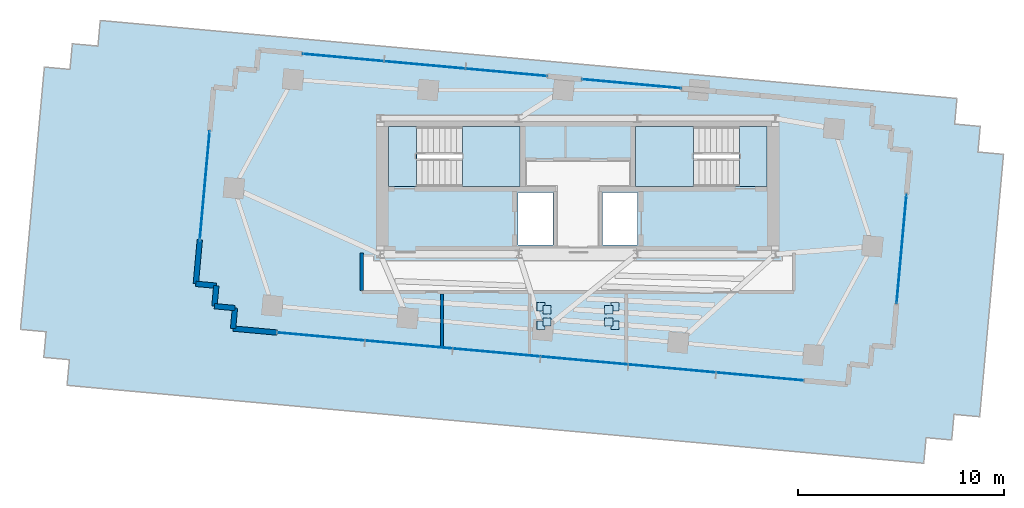
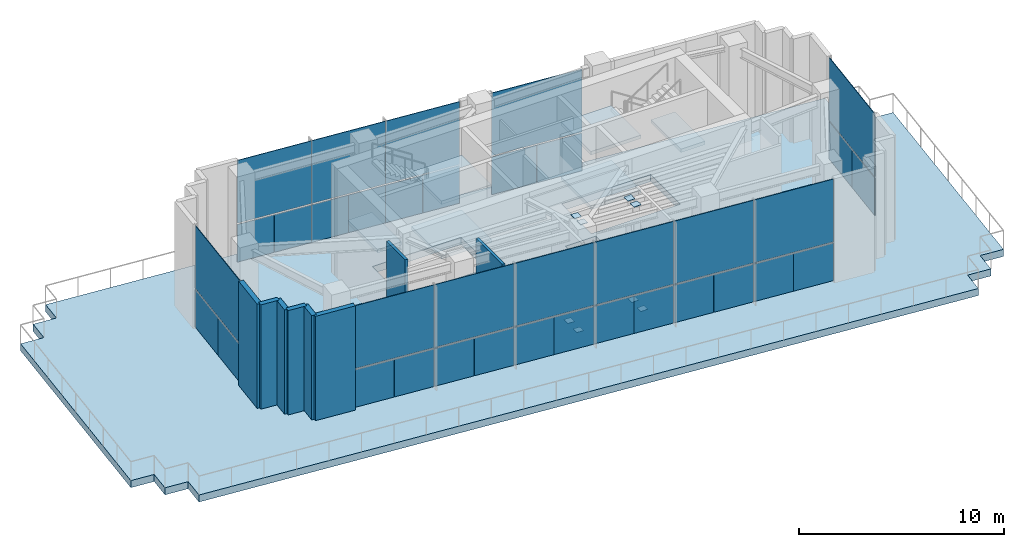
# One storey, part 11 of 18: 44 plates, 8 walls, 7 slabs, 7 elements without a shape of their own.
"""IFC4 building model written with IfcOpenShell, lengths in metres."""

import ifcopenshell
import ifcopenshell.guid

model = None  # the IFC model being written
_history = None  # IfcOwnerHistory: only IFC2X3 demands one
_inside = {}  # id of a spatial element -> (the spatial element, [elements in it])
_under = {}  # id of a project, library or spatial element -> (it, [spatial elements below it])
_declared = {}  # id of a project -> (the project, [libraries it declares])
_typed = {}  # id of a type object -> (the type object, [elements of that type])
_made_of = {}  # id of a material, layer set ... -> (it, [elements and type objects made of it])


def new_model(schema):
    """Start an empty IFC model of exactly this schema.

    Asked for "IFC4X3", IfcOpenShell would pick the latest addendum, in which some entities
    have other attributes; the version numbers below select the first issue.
    IFC2X3 requires an IfcOwnerHistory on every rooted entity: one is made here for all.
    """
    global model, _history
    if schema == "IFC4X3":
        model = ifcopenshell.file(schema_version=(4, 3, 0, 0))
    else:
        model = ifcopenshell.file(schema=schema)
    _inside.clear()
    _under.clear()
    _declared.clear()
    _typed.clear()
    _made_of.clear()
    _history = None
    if model.schema == "IFC2X3":
        org = make("IfcOrganization", Name="unknown")
        user = make(
            "IfcPersonAndOrganization",
            ThePerson=make("IfcPerson", FamilyName="unknown"),
            TheOrganization=org,
        )
        app = make(
            "IfcApplication",
            ApplicationDeveloper=org,
            Version="unknown",
            ApplicationFullName="unknown",
            ApplicationIdentifier="unknown",
        )
        _history = make(
            "IfcOwnerHistory",
            OwningUser=user,
            OwningApplication=app,
            ChangeAction="ADDED",
            CreationDate=0,
        )
    return model


def make(cls, **values):
    """One entity of the class cls with the attributes given. An attribute that is None is left unset."""
    return model.create_entity(
        cls, **{name: value for name, value in values.items() if value is not None}
    )


def rooted(cls, **values):
    """An entity with a GlobalId (a new one), such as an element, a storey or a relation."""
    return make(cls, GlobalId=ifcopenshell.guid.new(), OwnerHistory=_history, **values)


def si_unit(unit_type, name, prefix=None):
    """IfcSIUnit, for example si_unit("LENGTHUNIT", "METRE", prefix="MILLI")."""
    return make("IfcSIUnit", UnitType=unit_type, Prefix=prefix, Name=name)


def assignment(units):
    """IfcUnitAssignment: the units of a project."""
    return None if units is None else make("IfcUnitAssignment", Units=units)


def point(xyz):
    """IfcCartesianPoint."""
    return None if xyz is None else make("IfcCartesianPoint", Coordinates=xyz)


def direction(xyz):
    """IfcDirection."""
    return None if xyz is None else make("IfcDirection", DirectionRatios=xyz)


def frame(location, z_axis=None, x_axis=None):
    """IfcAxis2Placement3D, a coordinate frame: its origin and axes. An axis left out is left unset."""
    return make(
        "IfcAxis2Placement3D",
        Location=point(location),
        Axis=direction(z_axis),
        RefDirection=direction(x_axis),
    )


def frame_2d(location, x_axis=None):
    """IfcAxis2Placement2D, a coordinate frame in the plane: its origin and x axis."""
    return make(
        "IfcAxis2Placement2D", Location=point(location), RefDirection=direction(x_axis)
    )


def origin():
    """The frame at (0, 0, 0) with its axes left unset."""
    return frame((0.0, 0.0, 0.0))


def origin_2d():
    """The frame at (0, 0) in the plane with its x axis left unset."""
    return frame_2d((0.0, 0.0))


def place(relative_to, where):
    """IfcLocalPlacement: puts the frame where relative to a parent placement (None: the world)."""
    return make(
        "IfcLocalPlacement", PlacementRelTo=relative_to, RelativePlacement=where
    )


def context(
    kind, dimensions, precision=None, world=None, true_north=None, identifier=None
):
    """IfcGeometricRepresentationContext, for example the 3D "Model" context."""
    return make(
        "IfcGeometricRepresentationContext",
        ContextIdentifier=identifier,
        ContextType=kind,
        CoordinateSpaceDimension=dimensions,
        Precision=precision,
        WorldCoordinateSystem=world,
        TrueNorth=true_north,
    )


def subcontext(parent, identifier, kind, view, scale=None):
    """IfcGeometricRepresentationSubContext, for example "Body" below "Model"."""
    return make(
        "IfcGeometricRepresentationSubContext",
        ContextIdentifier=identifier,
        ContextType=kind,
        ParentContext=parent,
        TargetScale=scale,
        TargetView=view,
    )


def project(units=None, contexts=None):
    """IfcProject with its units and contexts."""
    return rooted(
        "IfcProject",
        Name="project",
        RepresentationContexts=contexts,
        UnitsInContext=assignment(units),
    )


def spatial(cls, under=None, at=None, **own):
    """A site, building, storey or space (cls), placed at a placement, below another one or the project."""
    s = rooted(cls, ObjectPlacement=at, **own)
    if under is not None:
        _under.setdefault(under.id(), (under, []))[1].append(s)
    return s


def polyline(points):
    """IfcPolyline through the points."""
    return make("IfcPolyline", Points=[point(p) for p in points])


def profile(cls, at=None, kind="AREA", **sizes):
    """A parametric profile (cls). Its sizes go by their IFC names, for example OverallWidth=200.0."""
    return make(cls, ProfileType=kind, Position=at, **sizes)


def rectangle(**sizes):
    """IfcRectangleProfileDef."""
    return profile("IfcRectangleProfileDef", **sizes)


def outline(outer, holes=None, kind="AREA"):
    """IfcArbitraryClosedProfileDef: a profile drawn as a closed curve; with holes, ...WithVoids."""
    if holes is None:
        return make("IfcArbitraryClosedProfileDef", ProfileType=kind, OuterCurve=outer)
    return make(
        "IfcArbitraryProfileDefWithVoids",
        ProfileType=kind,
        OuterCurve=outer,
        InnerCurves=holes,
    )


def extrude(swept, where, along, depth):
    """IfcExtrudedAreaSolid: the profile swept, set in the frame where, extruded along a direction by depth."""
    return make(
        "IfcExtrudedAreaSolid",
        SweptArea=swept,
        Position=where,
        ExtrudedDirection=direction(along),
        Depth=depth,
    )


def shape(context_of_items, identifier, shape_type, items):
    """IfcShapeRepresentation: the items that make up one representation, for example the "Body"."""
    return make(
        "IfcShapeRepresentation",
        ContextOfItems=context_of_items,
        RepresentationIdentifier=identifier,
        RepresentationType=shape_type,
        Items=items,
    )


def source(mapping_origin, context_of_items, identifier, shape_type, items):
    """IfcRepresentationMap: a shape defined once, which mapped items show again and again."""
    return make(
        "IfcRepresentationMap",
        MappingOrigin=mapping_origin,
        MappedRepresentation=shape(context_of_items, identifier, shape_type, items),
    )


def transform(
    local_origin,
    x_axis=None,
    y_axis=None,
    z_axis=None,
    scale=None,
    scale2=None,
    scale3=None,
    uniform=True,
):
    """IfcCartesianTransformationOperator3D, or its non-uniform kind. x_axis, y_axis, z_axis: its Axis1, 2, 3."""
    if uniform:
        return make(
            "IfcCartesianTransformationOperator3D",
            Axis1=direction(x_axis),
            Axis2=direction(y_axis),
            LocalOrigin=point(local_origin),
            Scale=scale,
            Axis3=direction(z_axis),
        )
    return make(
        "IfcCartesianTransformationOperator3DnonUniform",
        Axis1=direction(x_axis),
        Axis2=direction(y_axis),
        LocalOrigin=point(local_origin),
        Scale=scale,
        Axis3=direction(z_axis),
        Scale2=scale2,
        Scale3=scale3,
    )


def mapped(mapping_source, mapping_target):
    """IfcMappedItem: shows the shape of a source again, moved by a transform."""
    return make(
        "IfcMappedItem", MappingSource=mapping_source, MappingTarget=mapping_target
    )


def material(Name=None, Category=None):
    """IfcMaterial."""
    return make("IfcMaterial", Name=Name, Category=Category)


def layer(
    of_material, thickness, ventilated=None, Name=None, Category=None, Priority=None
):
    """IfcMaterialLayer: one layer of a wall or slab, of a material (None: an air gap)."""
    return make(
        "IfcMaterialLayer",
        Material=of_material,
        LayerThickness=thickness,
        IsVentilated=ventilated,
        Name=Name,
        Category=Category,
        Priority=Priority,
    )


def layer_set(layers, Name=None):
    """IfcMaterialLayerSet."""
    return make("IfcMaterialLayerSet", MaterialLayers=layers, LayerSetName=Name)


def made_of(thing, what):
    """Note that an element or type object is made of a material, layer set ...; save() writes the relation."""
    if what is not None:
        _made_of.setdefault(what.id(), (what, []))[1].append(thing)
    return thing


def type_object(cls, material=None, **own):
    """A type object (cls), such as IfcWallType, which elements share."""
    return made_of(rooted(cls, **own), material)


def type_shapes(of_type, sources):
    """Give a type object the sources (RepresentationMaps) that its elements show as mapped items."""
    of_type.RepresentationMaps = sources


def element(
    cls,
    number,
    at=None,
    inside=None,
    cuts=None,
    type_object=None,
    material=None,
    context=None,
    identifier="Body",
    shape_type=None,
    held_by="IfcProductDefinitionShape",
    body=None,
    shapes=None,
    **own,
):
    """One element of the class cls, such as IfcWall. Its Tag is "e" and its number.

    at: its placement. inside: the storey or other place that contains it. cuts: it is an
    opening in that element (IfcRelVoidsElement). A single representation is given by context,
    identifier, shape_type and body (its items); several are given by shapes. held_by: the class
    of the entity that holds the representations. save() writes the other relations.
    """
    e = rooted(cls, Tag="e%d" % number, ObjectPlacement=at, **own)
    if body is not None:
        shapes = [shape(context, identifier, shape_type, body)]
    if shapes is not None:
        e.Representation = make(held_by, Representations=shapes)
    if inside is not None:
        _inside.setdefault(inside.id(), (inside, []))[1].append(e)
    if cuts is not None:
        rooted(
            "IfcRelVoidsElement", RelatingBuildingElement=cuts, RelatedOpeningElement=e
        )
    if type_object is not None:
        _typed.setdefault(type_object.id(), (type_object, []))[1].append(e)
    return made_of(e, material)


def aggregate(whole, parts):
    """IfcRelAggregates: a whole, such as a stair, and the parts it consists of."""
    return rooted("IfcRelAggregates", RelatingObject=whole, RelatedObjects=parts)


def save(model, path):
    """Write the relations noted so far, then the file.

    IfcRelAggregates (storeys below a building ...), IfcRelContainedInSpatialStructure (elements
    in a storey), IfcRelDefinesByType, IfcRelAssociatesMaterial and IfcRelDeclares: one each for
    every whole, place, type object, material and project.
    """
    for whole, parts in _under.values():
        aggregate(whole, parts)
    for where, things in _inside.values():
        rooted(
            "IfcRelContainedInSpatialStructure",
            RelatedElements=things,
            RelatingStructure=where,
        )
    for kind, things in _typed.values():
        rooted("IfcRelDefinesByType", RelatedObjects=things, RelatingType=kind)
    for what, things in _made_of.values():
        rooted("IfcRelAssociatesMaterial", RelatedObjects=things, RelatingMaterial=what)
    for by, libraries in _declared.values():
        rooted("IfcRelDeclares", RelatingContext=by, RelatedDefinitions=libraries)
    model.write(path)


model = new_model("IFC4")

# Units and contexts
model_context = context("Model", 3, precision=1e-05, world=origin(), true_north=direction((0.0, 1.0)))
body_context = subcontext(model_context, "Body", "Model", "MODEL_VIEW")
ifc_project = project(units=[si_unit("LENGTHUNIT", "METRE"), si_unit("AREAUNIT", "SQUARE_METRE"), si_unit("VOLUMEUNIT", "CUBIC_METRE"), si_unit("PLANEANGLEUNIT", "RADIAN"), si_unit("MASSUNIT", "GRAM", prefix="KILO")], contexts=[model_context])

# Site, building, storey
site_placement = place(None, origin())
site = spatial("IfcSite", under=ifc_project, at=site_placement, CompositionType="ELEMENT")
building_placement = place(site_placement, origin())
building = spatial("IfcBuilding", under=site, at=building_placement, Name="Astriad Promenade Condominiums", CompositionType="ELEMENT")
storey_placement = place(building_placement, frame((0.0, 0.0, 264.300048828125)))
storey = spatial("IfcBuildingStorey", under=building, at=storey_placement, Name="L76", CompositionType="ELEMENT", Elevation=264.300048828125)

# Slab
ifc_material_1 = material(Name="Concrete C60/75", Category="concrete")
ifc_layer_1 = layer(ifc_material_1, 0.419921875)
ifc_layer_set_1 = layer_set([ifc_layer_1], Name="Concrete C60/75")
slab_type_1 = type_object("IfcSlabType", Name="CONCRETE TRANSFER FLOOR SLAB 420", PredefinedType="FLOOR", material=ifc_layer_set_1)
slab_1_placement = place(storey_placement, frame((0.0, 0.0, -0.420166015625)))
element("IfcSlab", 1, at=slab_1_placement, inside=storey, type_object=slab_type_1, Name="Structural Floor Slab (L76)", PredefinedType="FLOOR", context=body_context, shape_type="SweptSolid", body=[
    extrude(outline(polyline([(11.179443359375, 11.03076171875), (52.807373046875, 7.242431640625), (52.920654296875, 8.4873046875), (54.16552734375, 8.3740234375), (54.27880859375, 9.618896484375), (55.523681640625, 9.505615234375), (56.68359375, 22.2529296875), (55.43896484375, 22.3662109375), (55.55224609375, 23.611083984375), (54.307373046875, 23.724365234375), (54.420654296875, 24.96923828125), (12.79248046875, 28.757568359375), (12.679443359375, 27.5126953125), (11.4345703125, 27.6259765625), (11.3212890625, 26.381103515625), (10.076416015625, 26.494384765625), (8.916259765625, 13.7470703125), (10.1611328125, 13.6337890625), (10.0478515625, 12.388916015625), (11.292724609375, 12.275634765625), (11.179443359375, 11.03076171875)]), holes=[polyline([(28.175048828125, 20.699951171875), (33.175048828125, 20.699951171875), (33.175048828125, 23.60009765625), (28.175048828125, 23.60009765625), (28.175048828125, 20.699951171875)]), polyline([(38.824951171875, 20.699951171875), (43.824951171875, 20.699951171875), (43.824951171875, 23.60009765625), (38.824951171875, 23.60009765625), (38.824951171875, 20.699951171875)]), polyline([(33.10009765625, 17.85009765625), (34.800048828125, 17.85009765625), (34.800048828125, 20.39990234375), (33.10009765625, 20.39990234375), (33.10009765625, 17.85009765625)]), polyline([(37.199951171875, 17.85009765625), (38.89990234375, 17.85009765625), (38.89990234375, 20.39990234375), (37.199951171875, 20.39990234375), (37.199951171875, 17.85009765625)])]), origin(), (0.0, 0.0, 1.0), 0.420166015625),
])

# Stair, slabs
ifc_material_2 = material(Name="Concrete C50/60", Category="concrete")
stair_type = type_object("IfcStairType", Name="STR-CORE-1350", PredefinedType="HALF_TURN_STAIR", material=ifc_material_2)
stair_1_placement = place(storey_placement, origin())
stair_1 = element("IfcStair", 2, at=stair_1_placement, inside=storey, type_object=stair_type, Name="L76 Enclosed Core Exit Stair ST-1", PredefinedType="HALF_TURN_STAIR")
ifc_layer_2 = layer(ifc_material_2, 0.219970703125)
ifc_layer_set_2 = layer_set([ifc_layer_2], Name="Concrete C50/60")
slab_type_2 = type_object("IfcSlabType", Name="SLB-LANDING-220", PredefinedType="LANDING", material=ifc_layer_set_2)
slab_2_placement = place(storey_placement, frame((0.0, 0.0, 1.425048828125)))
slab_2 = element("IfcSlab", 3, at=slab_2_placement, type_object=slab_type_2, Name="ST-1 landing 1", PredefinedType="LANDING", context=body_context, shape_type="SweptSolid", body=[
    extrude(outline(polyline([(30.389892578125, 20.699951171875), (33.199951171875, 20.699951171875), (33.199951171875, 23.60009765625), (30.389892578125, 23.60009765625), (30.389892578125, 20.699951171875)])), origin(), (0.0, 0.0, 1.0), 0.199951171875),
])
slab_3_placement = place(storey_placement, frame((0.0, 0.0, 3.050048828125)))
slab_3 = element("IfcSlab", 4, at=slab_3_placement, type_object=slab_type_2, Name="ST-1 landing 2", PredefinedType="LANDING", context=body_context, shape_type="SweptSolid", body=[
    extrude(outline(polyline([(26.800048828125, 20.699951171875), (28.14990234375, 20.699951171875), (28.14990234375, 23.60009765625), (26.800048828125, 23.60009765625), (26.800048828125, 20.699951171875)])), origin(), (0.0, 0.0, 1.0), 0.199951171875),
])
slab_4_placement = place(storey_placement, frame((0.0, 0.0, 4.675048828125)))
slab_4 = element("IfcSlab", 5, at=slab_4_placement, type_object=slab_type_2, Name="ST-1 landing 3", PredefinedType="LANDING", context=body_context, shape_type="SweptSolid", body=[
    extrude(outline(polyline([(30.389892578125, 20.699951171875), (33.199951171875, 20.699951171875), (33.199951171875, 23.60009765625), (30.389892578125, 23.60009765625), (30.389892578125, 20.699951171875)])), origin(), (0.0, 0.0, 1.0), 0.199951171875),
])
aggregate(stair_1, [slab_2, slab_3, slab_4])

stair_2_placement = place(storey_placement, origin())
stair_2 = element("IfcStair", 6, at=stair_2_placement, inside=storey, type_object=stair_type, Name="L76 Enclosed Core Exit Stair ST-2", PredefinedType="HALF_TURN_STAIR")
slab_5_placement = place(storey_placement, frame((0.0, 0.0, 1.425048828125)))
slab_5 = element("IfcSlab", 7, at=slab_5_placement, type_object=slab_type_2, Name="ST-2 landing 1", PredefinedType="LANDING", context=body_context, shape_type="SweptSolid", body=[
    extrude(outline(polyline([(41.610107421875, 23.60009765625), (38.800048828125, 23.60009765625), (38.800048828125, 20.699951171875), (41.610107421875, 20.699951171875), (41.610107421875, 23.60009765625)])), origin(), (0.0, 0.0, 1.0), 0.199951171875),
])
slab_6_placement = place(storey_placement, frame((0.0, 0.0, 3.050048828125)))
slab_6 = element("IfcSlab", 8, at=slab_6_placement, type_object=slab_type_2, Name="ST-2 landing 2", PredefinedType="LANDING", context=body_context, shape_type="SweptSolid", body=[
    extrude(outline(polyline([(45.199951171875, 23.60009765625), (43.85009765625, 23.60009765625), (43.85009765625, 20.699951171875), (45.199951171875, 20.699951171875), (45.199951171875, 23.60009765625)])), origin(), (0.0, 0.0, 1.0), 0.199951171875),
])
slab_7_placement = place(storey_placement, frame((0.0, 0.0, 4.675048828125)))
slab_7 = element("IfcSlab", 9, at=slab_7_placement, type_object=slab_type_2, Name="ST-2 landing 3", PredefinedType="LANDING", context=body_context, shape_type="SweptSolid", body=[
    extrude(outline(polyline([(41.610107421875, 23.60009765625), (38.800048828125, 23.60009765625), (38.800048828125, 20.699951171875), (41.610107421875, 20.699951171875), (41.610107421875, 23.60009765625)])), origin(), (0.0, 0.0, 1.0), 0.199951171875),
])
aggregate(stair_2, [slab_5, slab_6, slab_7])

# Plates
ifc_material_3 = material(Name="Steel ASTM A572 Grade 50", Category="steel")
ifc_layer_3 = layer(ifc_material_3, 0.02490234375)
ifc_layer_set_3 = layer_set([ifc_layer_3], Name="Steel ASTM A572 Grade 50")
plate_type_1 = type_object("IfcPlateType", Name="STEEL HOLLOW SECTION END CAP PLATE 30", PredefinedType="USERDEFINED", material=ifc_layer_set_3)
shared_shape_1 = source(origin(), body_context, "Body", "SweptSolid", [
    extrude(rectangle(XDim=0.3955078125, YDim=0.3955078125, at=origin_2d()), origin(), (0.0, 0.0, 1.0), 0.02490234375),
])
type_shapes(plate_type_1, [shared_shape_1])
for number, where, z_axis, x_axis, name in (
    (10, (34.198974609375, 13.949462890625, -0.02490234375), (0.048316445985, 0.024158222992, 0.998539884686), (1.0, 0.0, 0.0), "Hollow Section End Cap Plate STRUT-TMD-01-A"),
    (11, (34.5, 14.10009765625, 6.199951171875), (0.048316445985, 0.024158222992, 0.998539884686), (1.0, 0.0, 0.0), "Hollow Section End Cap Plate STRUT-TMD-01-B"),
    (12, (37.801025390625, 13.949462890625, -0.02490234375), (-0.048316445985, 0.024158222992, 0.998539884686), (1.0, 0.0, 0.0), "Hollow Section End Cap Plate STRUT-TMD-02-A"),
    (13, (37.5, 14.10009765625, 6.199951171875), (-0.048316445985, 0.024158222992, 0.998539884686), (1.0, 0.0, 0.0), "Hollow Section End Cap Plate STRUT-TMD-02-B"),
    (14, (37.801025390625, 14.8505859375, -0.02490234375), (-0.048316445985, -0.024158222992, 0.998539884686), (1.0, 0.0, 0.0), "Hollow Section End Cap Plate STRUT-TMD-03-A"),
    (15, (37.5, 14.699951171875, 6.199951171875), (-0.048316445985, -0.024158222992, 0.998539884686), (1.0, 0.0, 0.0), "Hollow Section End Cap Plate STRUT-TMD-03-B"),
    (16, (34.198974609375, 14.8505859375, -0.02490234375), (0.048316445985, -0.024158222992, 0.998539884686), (1.0, 0.0, 0.0), "Hollow Section End Cap Plate STRUT-TMD-04-A"),
    (17, (34.5, 14.699951171875, 6.199951171875), (0.048316445985, -0.024158222992, 0.998539884686), (1.0, 0.0, 0.0), "Hollow Section End Cap Plate STRUT-TMD-04-B"),
):
    element("IfcPlate", number, at=place(storey_placement, frame(where, z_axis=z_axis, x_axis=x_axis)), inside=storey, type_object=plate_type_1, Name=name, ObjectType="STIFFENER_PLATE", PredefinedType="USERDEFINED", context=body_context, shape_type="MappedRepresentation", body=[
        mapped(shared_shape_1, transform((0.0, 0.0, 0.0), scale=1.0)),
    ])

# Curtain wall, plates
ifc_material_4 = material(Name="Anodised aluminium Black Dark Glass Unitised", Category="aluminium")
curtain_wall_type = type_object("IfcCurtainWallType", Name="CW-TMD-LANTERN", PredefinedType="USERDEFINED", material=ifc_material_4)
curtain_wall_1_placement = place(storey_placement, origin())
curtain_wall_1 = element("IfcCurtainWall", 18, at=curtain_wall_1_placement, inside=storey, type_object=curtain_wall_type, Name="CW-LNT-L76-03-1", ObjectType="UNITISED_CURTAIN_WALL", PredefinedType="USERDEFINED")
ifc_material_5 = material(Name="Translucent Acoustic Fritted Dark Glass", Category="glass")
ifc_layer_4 = layer(ifc_material_5, 0.035888671875)
ifc_layer_set_4 = layer_set([ifc_layer_4], Name="Translucent Acoustic Fritted Dark Glass")
plate_type_2 = type_object("IfcPlateType", Name="PNL-LANTERN-GLOW-36", PredefinedType="CURTAIN_PANEL", material=ifc_layer_set_4)
shared_shape_2 = source(origin(), body_context, "Body", "SweptSolid", [
    extrude(rectangle(XDim=2.637939453125, YDim=0.035888671875, at=origin_2d()), origin(), (0.0, 0.0, 1.0), 2.22998046875),
])
plate_1_placement = place(storey_placement, frame((17.75, 19.42138671875, 0.080078125), z_axis=(0.0, 0.0, 1.0), x_axis=(0.090632580198, 0.995884398616, 0.0)))
plate_1 = element("IfcPlate", 19, at=plate_1_placement, type_object=plate_type_2, Name="CW-LNT-L76-03-1-PNL-00-VL", PredefinedType="CURTAIN_PANEL", context=body_context, shape_type="MappedRepresentation", body=[
    mapped(shared_shape_2, transform((0.0, 0.0, 0.0), scale=1.0)),
])
plate_2_placement = place(storey_placement, frame((17.989990234375, 22.060302734375, 0.080078125), z_axis=(0.0, 0.0, 1.0), x_axis=(0.090632580198, 0.995884398616, 0.0)))
plate_2 = element("IfcPlate", 20, at=plate_2_placement, type_object=plate_type_2, Name="CW-LNT-L76-03-1-PNL-00-VR", PredefinedType="CURTAIN_PANEL", context=body_context, shape_type="MappedRepresentation", body=[
    mapped(shared_shape_2, transform((0.0, 0.0, 0.0), scale=1.0)),
])

curtain_wall_2_placement = place(storey_placement, origin())
curtain_wall_2 = element("IfcCurtainWall", 21, at=curtain_wall_2_placement, inside=storey, type_object=curtain_wall_type, Name="CW-LNT-L76-13-1", ObjectType="UNITISED_CURTAIN_WALL", PredefinedType="USERDEFINED")
plate_3_placement = place(storey_placement, frame((51.85009765625, 18.978759765625, 0.080078125), z_axis=(0.0, 0.0, 1.0), x_axis=(-0.090632580198, -0.995884398616, 0.0)))
plate_3 = element("IfcPlate", 22, at=plate_3_placement, type_object=plate_type_2, Name="CW-LNT-L76-13-1-PNL-00-VL", PredefinedType="CURTAIN_PANEL", context=body_context, shape_type="MappedRepresentation", body=[
    mapped(shared_shape_2, transform((0.0, 0.0, 0.0), scale=1.0)),
])
plate_4_placement = place(storey_placement, frame((51.60986328125, 16.339599609375, 0.080078125), z_axis=(0.0, 0.0, 1.0), x_axis=(-0.090632580198, -0.995884398616, 0.0)))
plate_4 = element("IfcPlate", 23, at=plate_4_placement, type_object=plate_type_2, Name="CW-LNT-L76-13-1-PNL-00-VR", PredefinedType="CURTAIN_PANEL", context=body_context, shape_type="MappedRepresentation", body=[
    mapped(shared_shape_2, transform((0.0, 0.0, 0.0), scale=1.0)),
])

# Plate
shared_shape_3 = source(origin(), body_context, "Body", "SweptSolid", [
    extrude(rectangle(XDim=5.2880859375, YDim=0.035888671875, at=origin_2d()), origin(), (0.0, 0.0, 1.0), 3.72998046875),
])
plate_5_placement = place(storey_placement, frame((17.8701171875, 20.74072265625, 2.389892578125), z_axis=(0.0, 0.0, 1.0), x_axis=(0.090632580198, 0.995884398616, 0.0)))
plate_5 = element("IfcPlate", 24, at=plate_5_placement, type_object=plate_type_2, Name="CW-LNT-L76-03-1-PNL-00-S", PredefinedType="CURTAIN_PANEL", context=body_context, shape_type="MappedRepresentation", body=[
    mapped(shared_shape_3, transform((0.0, 0.0, 0.0), scale=1.0)),
])

aggregate(curtain_wall_1, [plate_1, plate_2, plate_5])

plate_6_placement = place(storey_placement, frame((51.72998046875, 17.6591796875, 2.389892578125), z_axis=(0.0, 0.0, 1.0), x_axis=(-0.090632580198, -0.995884398616, 0.0)))
plate_6 = element("IfcPlate", 25, at=plate_6_placement, type_object=plate_type_2, Name="CW-LNT-L76-13-1-PNL-00-S", PredefinedType="CURTAIN_PANEL", context=body_context, shape_type="MappedRepresentation", body=[
    mapped(shared_shape_3, transform((0.0, 0.0, 0.0), scale=1.0)),
])

aggregate(curtain_wall_2, [plate_3, plate_4, plate_6])

# Curtain wall, plates
curtain_wall_3_placement = place(storey_placement, origin())
curtain_wall_3 = element("IfcCurtainWall", 26, at=curtain_wall_3_placement, inside=storey, type_object=curtain_wall_type, Name="CW-LNT-L76-08-1", ObjectType="UNITISED_CURTAIN_WALL", PredefinedType="USERDEFINED")
shared_shape_4 = source(origin(), body_context, "Body", "SweptSolid", [
    extrude(rectangle(XDim=1.977783203125, YDim=0.035888671875, at=origin_2d()), origin(), (0.0, 0.0, 1.0), 2.22998046875),
])
plate_7_placement = place(storey_placement, frame((23.60986328125, 27.04638671875, 0.080078125), z_axis=(0.0, 0.0, 1.0), x_axis=(0.995884398616, -0.090632580198, 0.0)))
plate_7 = element("IfcPlate", 27, at=plate_7_placement, type_object=plate_type_2, Name="CW-LNT-L76-08-1-PNL-00-VL", PredefinedType="CURTAIN_PANEL", context=body_context, shape_type="MappedRepresentation", body=[
    mapped(shared_shape_4, transform((0.0, 0.0, 0.0), scale=1.0)),
])
plate_8_placement = place(storey_placement, frame((25.591552734375, 26.8662109375, 0.080078125), z_axis=(0.0, 0.0, 1.0), x_axis=(0.995884398616, -0.090632580198, 0.0)))
plate_8 = element("IfcPlate", 28, at=plate_8_placement, type_object=plate_type_2, Name="CW-LNT-L76-08-1-PNL-00-VR", PredefinedType="CURTAIN_PANEL", context=body_context, shape_type="MappedRepresentation", body=[
    mapped(shared_shape_4, transform((0.0, 0.0, 0.0), scale=1.0)),
])
plate_9_placement = place(storey_placement, frame((27.572998046875, 26.685791015625, 0.080078125), z_axis=(0.0, 0.0, 1.0), x_axis=(0.995884398616, -0.090632580198, 0.0)))
plate_9 = element("IfcPlate", 29, at=plate_9_placement, type_object=plate_type_2, Name="CW-LNT-L76-08-1-PNL-01-VL", PredefinedType="CURTAIN_PANEL", context=body_context, shape_type="MappedRepresentation", body=[
    mapped(shared_shape_4, transform((0.0, 0.0, 0.0), scale=1.0)),
])
plate_10_placement = place(storey_placement, frame((29.554443359375, 26.50537109375, 0.080078125), z_axis=(0.0, 0.0, 1.0), x_axis=(0.995884398616, -0.090632580198, 0.0)))
plate_10 = element("IfcPlate", 30, at=plate_10_placement, type_object=plate_type_2, Name="CW-LNT-L76-08-1-PNL-01-VR", PredefinedType="CURTAIN_PANEL", context=body_context, shape_type="MappedRepresentation", body=[
    mapped(shared_shape_4, transform((0.0, 0.0, 0.0), scale=1.0)),
])
plate_11_placement = place(storey_placement, frame((31.535888671875, 26.3251953125, 0.080078125), z_axis=(0.0, 0.0, 1.0), x_axis=(0.995884398616, -0.090632580198, 0.0)))
plate_11 = element("IfcPlate", 31, at=plate_11_placement, type_object=plate_type_2, Name="CW-LNT-L76-08-1-PNL-02-VL", PredefinedType="CURTAIN_PANEL", context=body_context, shape_type="MappedRepresentation", body=[
    mapped(shared_shape_4, transform((0.0, 0.0, 0.0), scale=1.0)),
])
plate_12_placement = place(storey_placement, frame((33.517578125, 26.144775390625, 0.080078125), z_axis=(0.0, 0.0, 1.0), x_axis=(0.995884398616, -0.090632580198, 0.0)))
plate_12 = element("IfcPlate", 32, at=plate_12_placement, type_object=plate_type_2, Name="CW-LNT-L76-08-1-PNL-02-VR", PredefinedType="CURTAIN_PANEL", context=body_context, shape_type="MappedRepresentation", body=[
    mapped(shared_shape_4, transform((0.0, 0.0, 0.0), scale=1.0)),
])
shared_shape_5 = source(origin(), body_context, "Body", "SweptSolid", [
    extrude(rectangle(XDim=3.96728515625, YDim=0.035888671875, at=origin_2d()), origin(), (0.0, 0.0, 1.0), 3.72998046875),
])
plate_13_placement = place(storey_placement, frame((24.6005859375, 26.956298828125, 2.389892578125), z_axis=(0.0, 0.0, 1.0), x_axis=(0.995884398616, -0.090632580198, 0.0)))
plate_13 = element("IfcPlate", 33, at=plate_13_placement, type_object=plate_type_2, Name="CW-LNT-L76-08-1-PNL-00-S", PredefinedType="CURTAIN_PANEL", context=body_context, shape_type="MappedRepresentation", body=[
    mapped(shared_shape_5, transform((0.0, 0.0, 0.0), scale=1.0)),
])
plate_14_placement = place(storey_placement, frame((28.563720703125, 26.595703125, 2.389892578125), z_axis=(0.0, 0.0, 1.0), x_axis=(0.995884398616, -0.090632580198, 0.0)))
plate_14 = element("IfcPlate", 34, at=plate_14_placement, type_object=plate_type_2, Name="CW-LNT-L76-08-1-PNL-01-S", PredefinedType="CURTAIN_PANEL", context=body_context, shape_type="MappedRepresentation", body=[
    mapped(shared_shape_5, transform((0.0, 0.0, 0.0), scale=1.0)),
])
plate_15_placement = place(storey_placement, frame((32.526611328125, 26.23486328125, 2.389892578125), z_axis=(0.0, 0.0, 1.0), x_axis=(0.995884398616, -0.090632580198, 0.0)))
plate_15 = element("IfcPlate", 35, at=plate_15_placement, type_object=plate_type_2, Name="CW-LNT-L76-08-1-PNL-02-S", PredefinedType="CURTAIN_PANEL", context=body_context, shape_type="MappedRepresentation", body=[
    mapped(shared_shape_5, transform((0.0, 0.0, 0.0), scale=1.0)),
])
aggregate(curtain_wall_3, [plate_7, plate_8, plate_13, plate_9, plate_10, plate_14, plate_11, plate_12, plate_15])

curtain_wall_4_placement = place(storey_placement, origin())
curtain_wall_4 = element("IfcCurtainWall", 36, at=curtain_wall_4_placement, inside=storey, type_object=curtain_wall_type, Name="CW-LNT-L76-08-2", ObjectType="UNITISED_CURTAIN_WALL", PredefinedType="USERDEFINED")
shared_shape_6 = source(origin(), body_context, "Body", "SweptSolid", [
    extrude(rectangle(XDim=2.410888671875, YDim=0.035888671875, at=origin_2d()), origin(), (0.0, 0.0, 1.0), 2.22998046875),
])
plate_16_placement = place(storey_placement, frame((37.40771484375, 25.790771484375, 0.080078125), z_axis=(0.0, 0.0, 1.0), x_axis=(0.995884398616, -0.090632580198, 0.0)))
plate_16 = element("IfcPlate", 37, at=plate_16_placement, type_object=plate_type_2, Name="CW-LNT-L76-08-2-PNL-00-VL", PredefinedType="CURTAIN_PANEL", context=body_context, shape_type="MappedRepresentation", body=[
    mapped(shared_shape_6, transform((0.0, 0.0, 0.0), scale=1.0)),
])
plate_17_placement = place(storey_placement, frame((39.820556640625, 25.571044921875, 0.080078125), z_axis=(0.0, 0.0, 1.0), x_axis=(0.995884398616, -0.090632580198, 0.0)))
plate_17 = element("IfcPlate", 38, at=plate_17_placement, type_object=plate_type_2, Name="CW-LNT-L76-08-2-PNL-00-VR", PredefinedType="CURTAIN_PANEL", context=body_context, shape_type="MappedRepresentation", body=[
    mapped(shared_shape_6, transform((0.0, 0.0, 0.0), scale=1.0)),
])
shared_shape_7 = source(origin(), body_context, "Body", "SweptSolid", [
    extrude(rectangle(XDim=4.833740234375, YDim=0.035888671875, at=origin_2d()), origin(), (0.0, 0.0, 1.0), 3.72998046875),
])
plate_18_placement = place(storey_placement, frame((38.614013671875, 25.680908203125, 2.389892578125), z_axis=(0.0, 0.0, 1.0), x_axis=(0.995884398616, -0.090632580198, 0.0)))
plate_18 = element("IfcPlate", 39, at=plate_18_placement, type_object=plate_type_2, Name="CW-LNT-L76-08-2-PNL-00-S", PredefinedType="CURTAIN_PANEL", context=body_context, shape_type="MappedRepresentation", body=[
    mapped(shared_shape_7, transform((0.0, 0.0, 0.0), scale=1.0)),
])
aggregate(curtain_wall_4, [plate_16, plate_17, plate_18])

curtain_wall_5_placement = place(storey_placement, origin())
curtain_wall_5 = element("IfcCurtainWall", 40, at=curtain_wall_5_placement, inside=storey, type_object=curtain_wall_type, Name="CW-LNT-L76-18-1", ObjectType="UNITISED_CURTAIN_WALL", PredefinedType="USERDEFINED")
shared_shape_8 = source(origin(), body_context, "Body", "SweptSolid", [
    extrude(rectangle(XDim=2.129638671875, YDim=0.035888671875, at=origin_2d()), origin(), (0.0, 0.0, 1.0), 2.22998046875),
])
plate_19_placement = place(storey_placement, frame((45.914306640625, 11.360595703125, 0.080078125), z_axis=(0.0, 0.0, 1.0), x_axis=(-0.995884398616, 0.090632580198, 0.0)))
plate_19 = element("IfcPlate", 41, at=plate_19_placement, type_object=plate_type_2, Name="CW-LNT-L76-18-1-PNL-00-VL", PredefinedType="CURTAIN_PANEL", context=body_context, shape_type="MappedRepresentation", body=[
    mapped(shared_shape_8, transform((0.0, 0.0, 0.0), scale=1.0)),
])
plate_20_placement = place(storey_placement, frame((43.781494140625, 11.5546875, 0.080078125), z_axis=(0.0, 0.0, 1.0), x_axis=(-0.995884398616, 0.090632580198, 0.0)))
plate_20 = element("IfcPlate", 42, at=plate_20_placement, type_object=plate_type_2, Name="CW-LNT-L76-18-1-PNL-00-VR", PredefinedType="CURTAIN_PANEL", context=body_context, shape_type="MappedRepresentation", body=[
    mapped(shared_shape_8, transform((0.0, 0.0, 0.0), scale=1.0)),
])
plate_21_placement = place(storey_placement, frame((41.648681640625, 11.74853515625, 0.080078125), z_axis=(0.0, 0.0, 1.0), x_axis=(-0.995884398616, 0.090632580198, 0.0)))
plate_21 = element("IfcPlate", 43, at=plate_21_placement, type_object=plate_type_2, Name="CW-LNT-L76-18-1-PNL-01-VL", PredefinedType="CURTAIN_PANEL", context=body_context, shape_type="MappedRepresentation", body=[
    mapped(shared_shape_8, transform((0.0, 0.0, 0.0), scale=1.0)),
])
plate_22_placement = place(storey_placement, frame((39.515869140625, 11.94287109375, 0.080078125), z_axis=(0.0, 0.0, 1.0), x_axis=(-0.995884398616, 0.090632580198, 0.0)))
plate_22 = element("IfcPlate", 44, at=plate_22_placement, type_object=plate_type_2, Name="CW-LNT-L76-18-1-PNL-01-VR", PredefinedType="CURTAIN_PANEL", context=body_context, shape_type="MappedRepresentation", body=[
    mapped(shared_shape_8, transform((0.0, 0.0, 0.0), scale=1.0)),
])
plate_23_placement = place(storey_placement, frame((37.383056640625, 12.136962890625, 0.080078125), z_axis=(0.0, 0.0, 1.0), x_axis=(-0.995884398616, 0.090632580198, 0.0)))
plate_23 = element("IfcPlate", 45, at=plate_23_placement, type_object=plate_type_2, Name="CW-LNT-L76-18-1-PNL-02-VL", PredefinedType="CURTAIN_PANEL", context=body_context, shape_type="MappedRepresentation", body=[
    mapped(shared_shape_8, transform((0.0, 0.0, 0.0), scale=1.0)),
])
plate_24_placement = place(storey_placement, frame((35.25, 12.3310546875, 0.080078125), z_axis=(0.0, 0.0, 1.0), x_axis=(-0.995884398616, 0.090632580198, 0.0)))
plate_24 = element("IfcPlate", 46, at=plate_24_placement, type_object=plate_type_2, Name="CW-LNT-L76-18-1-PNL-02-VR", PredefinedType="CURTAIN_PANEL", context=body_context, shape_type="MappedRepresentation", body=[
    mapped(shared_shape_8, transform((0.0, 0.0, 0.0), scale=1.0)),
])
plate_25_placement = place(storey_placement, frame((33.1171875, 12.525146484375, 0.080078125), z_axis=(0.0, 0.0, 1.0), x_axis=(-0.995884398616, 0.090632580198, 0.0)))
plate_25 = element("IfcPlate", 47, at=plate_25_placement, type_object=plate_type_2, Name="CW-LNT-L76-18-1-PNL-03-VL", PredefinedType="CURTAIN_PANEL", context=body_context, shape_type="MappedRepresentation", body=[
    mapped(shared_shape_8, transform((0.0, 0.0, 0.0), scale=1.0)),
])
plate_26_placement = place(storey_placement, frame((30.984375, 12.71923828125, 0.080078125), z_axis=(0.0, 0.0, 1.0), x_axis=(-0.995884398616, 0.090632580198, 0.0)))
plate_26 = element("IfcPlate", 48, at=plate_26_placement, type_object=plate_type_2, Name="CW-LNT-L76-18-1-PNL-03-VR", PredefinedType="CURTAIN_PANEL", context=body_context, shape_type="MappedRepresentation", body=[
    mapped(shared_shape_8, transform((0.0, 0.0, 0.0), scale=1.0)),
])
plate_27_placement = place(storey_placement, frame((28.8515625, 12.913330078125, 0.080078125), z_axis=(0.0, 0.0, 1.0), x_axis=(-0.995884398616, 0.090632580198, 0.0)))
plate_27 = element("IfcPlate", 49, at=plate_27_placement, type_object=plate_type_2, Name="CW-LNT-L76-18-1-PNL-04-VL", PredefinedType="CURTAIN_PANEL", context=body_context, shape_type="MappedRepresentation", body=[
    mapped(shared_shape_8, transform((0.0, 0.0, 0.0), scale=1.0)),
])
plate_28_placement = place(storey_placement, frame((26.718505859375, 13.107421875, 0.080078125), z_axis=(0.0, 0.0, 1.0), x_axis=(-0.995884398616, 0.090632580198, 0.0)))
plate_28 = element("IfcPlate", 50, at=plate_28_placement, type_object=plate_type_2, Name="CW-LNT-L76-18-1-PNL-04-VR", PredefinedType="CURTAIN_PANEL", context=body_context, shape_type="MappedRepresentation", body=[
    mapped(shared_shape_8, transform((0.0, 0.0, 0.0), scale=1.0)),
])
plate_29_placement = place(storey_placement, frame((24.585693359375, 13.301513671875, 0.080078125), z_axis=(0.0, 0.0, 1.0), x_axis=(-0.995884398616, 0.090632580198, 0.0)))
plate_29 = element("IfcPlate", 51, at=plate_29_placement, type_object=plate_type_2, Name="CW-LNT-L76-18-1-PNL-05-VL", PredefinedType="CURTAIN_PANEL", context=body_context, shape_type="MappedRepresentation", body=[
    mapped(shared_shape_8, transform((0.0, 0.0, 0.0), scale=1.0)),
])
plate_30_placement = place(storey_placement, frame((22.452880859375, 13.49560546875, 0.080078125), z_axis=(0.0, 0.0, 1.0), x_axis=(-0.995884398616, 0.090632580198, 0.0)))
plate_30 = element("IfcPlate", 52, at=plate_30_placement, type_object=plate_type_2, Name="CW-LNT-L76-18-1-PNL-05-VR", PredefinedType="CURTAIN_PANEL", context=body_context, shape_type="MappedRepresentation", body=[
    mapped(shared_shape_8, transform((0.0, 0.0, 0.0), scale=1.0)),
])
shared_shape_9 = source(origin(), body_context, "Body", "SweptSolid", [
    extrude(rectangle(XDim=4.271240234375, YDim=0.035888671875, at=origin_2d()), origin(), (0.0, 0.0, 1.0), 3.72998046875),
])
type_shapes(plate_type_2, [shared_shape_2, shared_shape_3, shared_shape_4, shared_shape_5, shared_shape_6, shared_shape_7, shared_shape_8, shared_shape_9])
plate_31_placement = place(storey_placement, frame((44.847900390625, 11.45751953125, 2.389892578125), z_axis=(0.0, 0.0, 1.0), x_axis=(-0.995884398616, 0.090632580198, 0.0)))
plate_31 = element("IfcPlate", 53, at=plate_31_placement, type_object=plate_type_2, Name="CW-LNT-L76-18-1-PNL-00-S", PredefinedType="CURTAIN_PANEL", context=body_context, shape_type="MappedRepresentation", body=[
    mapped(shared_shape_9, transform((0.0, 0.0, 0.0), scale=1.0)),
])
plate_32_placement = place(storey_placement, frame((40.582275390625, 11.845703125, 2.389892578125), z_axis=(0.0, 0.0, 1.0), x_axis=(-0.995884398616, 0.090632580198, 0.0)))
plate_32 = element("IfcPlate", 54, at=plate_32_placement, type_object=plate_type_2, Name="CW-LNT-L76-18-1-PNL-01-S", PredefinedType="CURTAIN_PANEL", context=body_context, shape_type="MappedRepresentation", body=[
    mapped(shared_shape_9, transform((0.0, 0.0, 0.0), scale=1.0)),
])
plate_33_placement = place(storey_placement, frame((36.31640625, 12.23388671875, 2.389892578125), z_axis=(0.0, 0.0, 1.0), x_axis=(-0.995884398616, 0.090632580198, 0.0)))
plate_33 = element("IfcPlate", 55, at=plate_33_placement, type_object=plate_type_2, Name="CW-LNT-L76-18-1-PNL-02-S", PredefinedType="CURTAIN_PANEL", context=body_context, shape_type="MappedRepresentation", body=[
    mapped(shared_shape_9, transform((0.0, 0.0, 0.0), scale=1.0)),
])
plate_34_placement = place(storey_placement, frame((32.05078125, 12.622314453125, 2.389892578125), z_axis=(0.0, 0.0, 1.0), x_axis=(-0.995884398616, 0.090632580198, 0.0)))
plate_34 = element("IfcPlate", 56, at=plate_34_placement, type_object=plate_type_2, Name="CW-LNT-L76-18-1-PNL-03-S", PredefinedType="CURTAIN_PANEL", context=body_context, shape_type="MappedRepresentation", body=[
    mapped(shared_shape_9, transform((0.0, 0.0, 0.0), scale=1.0)),
])
plate_35_placement = place(storey_placement, frame((27.784912109375, 13.010498046875, 2.389892578125), z_axis=(0.0, 0.0, 1.0), x_axis=(-0.995884398616, 0.090632580198, 0.0)))
plate_35 = element("IfcPlate", 57, at=plate_35_placement, type_object=plate_type_2, Name="CW-LNT-L76-18-1-PNL-04-S", PredefinedType="CURTAIN_PANEL", context=body_context, shape_type="MappedRepresentation", body=[
    mapped(shared_shape_9, transform((0.0, 0.0, 0.0), scale=1.0)),
])
plate_36_placement = place(storey_placement, frame((23.519287109375, 13.398681640625, 2.389892578125), z_axis=(0.0, 0.0, 1.0), x_axis=(-0.995884398616, 0.090632580198, 0.0)))
plate_36 = element("IfcPlate", 58, at=plate_36_placement, type_object=plate_type_2, Name="CW-LNT-L76-18-1-PNL-05-S", PredefinedType="CURTAIN_PANEL", context=body_context, shape_type="MappedRepresentation", body=[
    mapped(shared_shape_9, transform((0.0, 0.0, 0.0), scale=1.0)),
])
aggregate(curtain_wall_5, [plate_19, plate_20, plate_31, plate_21, plate_22, plate_32, plate_23, plate_24, plate_33, plate_25, plate_26, plate_34, plate_27, plate_28, plate_35, plate_29, plate_30, plate_36])

# Walls
ifc_material_6 = material(Name="Fire-Rated Gypsum Partition")
ifc_layer_5 = layer(ifc_material_6, 0.159912109375)
ifc_layer_set_5 = layer_set([ifc_layer_5], Name="Fire-Rated Gypsum Partition")
wall_type_1 = type_object("IfcWallType", Name="WALL-CORR-160", PredefinedType="PARTITIONING", material=ifc_layer_set_5)
wall_1_placement = place(storey_placement, frame((25.5, 15.632080078125, 0.0), z_axis=(0.0, 0.0, 1.0), x_axis=(0.0, 1.0, 0.0)))
element("IfcWall", 59, at=wall_1_placement, inside=storey, type_object=wall_type_1, Name="PT-L76-CWSP", PredefinedType="PARTITIONING", context=body_context, shape_type="SweptSolid", body=[
    extrude(rectangle(XDim=1.81787109375, YDim=0.159912109375, at=frame_2d((0.908935546875, 0.0))), origin(), (0.0, 0.0, 1.0), 6.199951171875),
])
wall_2_placement = place(storey_placement, frame((29.39990234375, 12.943603515625, 0.0), z_axis=(0.0, 0.0, 1.0), x_axis=(0.0, 1.0, 0.0)))
element("IfcWall", 60, at=wall_2_placement, inside=storey, type_object=wall_type_1, Name="PT-L76-VW", PredefinedType="PARTITIONING", context=body_context, shape_type="SweptSolid", body=[
    extrude(rectangle(XDim=2.5244140625, YDim=0.159912109375, at=frame_2d((1.26220703125, 0.0))), origin(), (0.0, 0.0, 1.0), 6.199951171875),
])
ifc_material_7 = material(Name="Precast concrete C50/60", Category="concrete")
ifc_layer_6 = layer(ifc_material_7, 0.260009765625)
ifc_layer_set_6 = layer_set([ifc_layer_6], Name="Precast concrete C50/60")
wall_type_2 = type_object("IfcWallType", Name="WALL-EXT-TWR-260", PredefinedType="STANDARD", material=ifc_layer_set_6)
wall_3_placement = place(storey_placement, frame((19.336181640625, 14.783447265625, 0.0), z_axis=(0.0, 0.0, 1.0), x_axis=(-0.995891205479, 0.090557754224, 0.0)))
element("IfcWall", 61, at=wall_3_placement, inside=storey, type_object=wall_type_2, Name="W-LNT-L76-00", PredefinedType="STANDARD", context=body_context, shape_type="SweptSolid", body=[
    extrude(rectangle(XDim=1.000244140625, YDim=0.260009765625, at=frame_2d((0.5, 0.0))), origin(), (0.0, 0.0, 1.0), 6.199951171875),
])
wall_4_placement = place(storey_placement, frame((18.340087890625, 14.8740234375, 0.0), z_axis=(0.0, 0.0, 1.0), x_axis=(0.090821912176, 0.995867149909, 0.0)))
element("IfcWall", 62, at=wall_4_placement, inside=storey, type_object=wall_type_2, Name="W-LNT-L76-01", PredefinedType="STANDARD", context=body_context, shape_type="SweptSolid", body=[
    extrude(rectangle(XDim=1.0, YDim=0.260009765625, at=frame_2d((0.5, 0.0))), origin(), (0.0, 0.0, 1.0), 6.199951171875),
])
wall_5_placement = place(storey_placement, frame((18.430908203125, 15.869873046875, 0.0), z_axis=(0.0, 0.0, 1.0), x_axis=(-0.995891205479, 0.090557754224, 0.0)))
element("IfcWall", 63, at=wall_5_placement, inside=storey, type_object=wall_type_2, Name="W-LNT-L76-02", PredefinedType="STANDARD", context=body_context, shape_type="SweptSolid", body=[
    extrude(rectangle(XDim=1.000244140625, YDim=0.260009765625, at=frame_2d((0.5, 0.0))), origin(), (0.0, 0.0, 1.0), 6.199951171875),
])
for number, where, z_axis, x_axis, name in (
    (64, (17.434814453125, 15.96044921875, 0.0), (0.0, 0.0, 1.0), (0.090720017492, 0.995876437329, 0.0), "W-LNT-L76-03A"),
    (65, (21.38671875, 13.592529296875, 0.0), (0.0, 0.0, 1.0), (-0.995876437329, 0.090720017492, 0.0), "W-LNT-L76-18B"),
):
    element("IfcWall", number, at=place(storey_placement, frame(where, z_axis=z_axis, x_axis=x_axis)), inside=storey, type_object=wall_type_2, Name=name, PredefinedType="STANDARD", context=body_context, shape_type="SweptSolid", body=[
        extrude(rectangle(XDim=2.150146484375, YDim=0.260009765625, at=frame_2d((1.0751953125, 0.0))), origin(), (0.0, 0.0, 1.0), 6.199951171875),
    ])
wall_6_placement = place(storey_placement, frame((19.245361328125, 13.78759765625, 0.0), z_axis=(0.0, 0.0, 1.0), x_axis=(0.090821912176, 0.995867149909, 0.0)))
element("IfcWall", 66, at=wall_6_placement, inside=storey, type_object=wall_type_2, Name="W-LNT-L76-19", PredefinedType="STANDARD", context=body_context, shape_type="SweptSolid", body=[
    extrude(rectangle(XDim=1.0, YDim=0.260009765625, at=frame_2d((0.5, 0.0))), origin(), (0.0, 0.0, 1.0), 6.199951171875),
])

save(model, "model.ifc")
